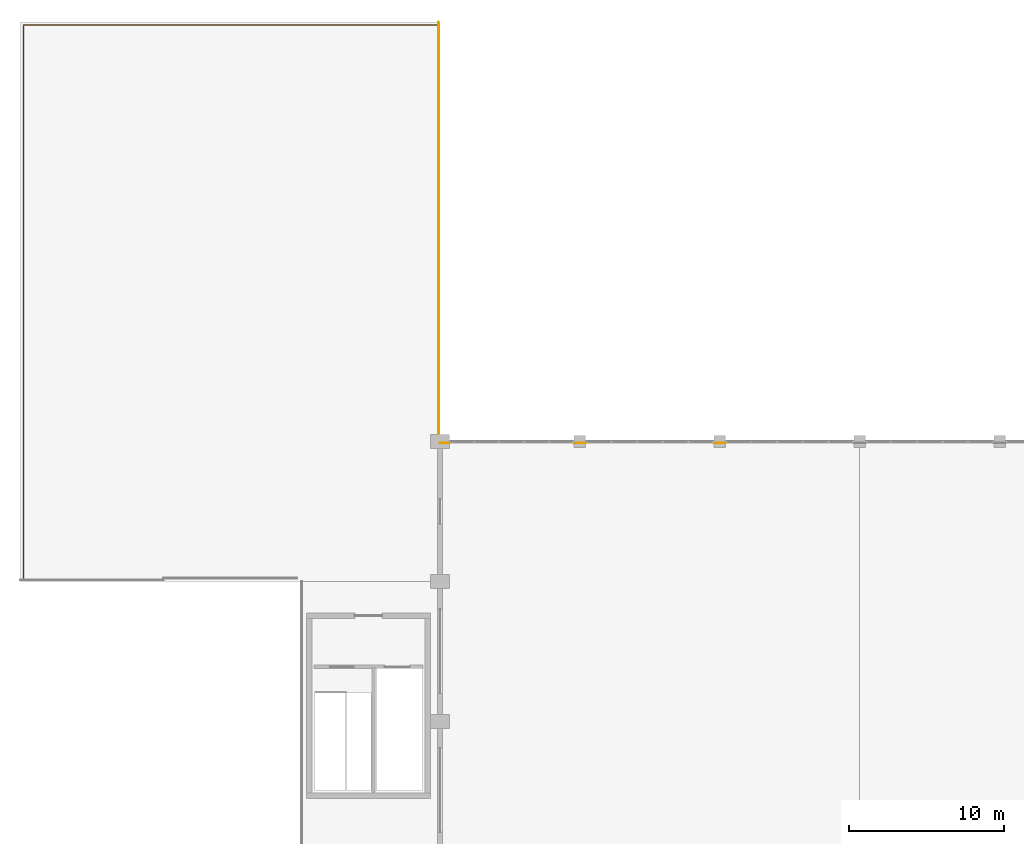
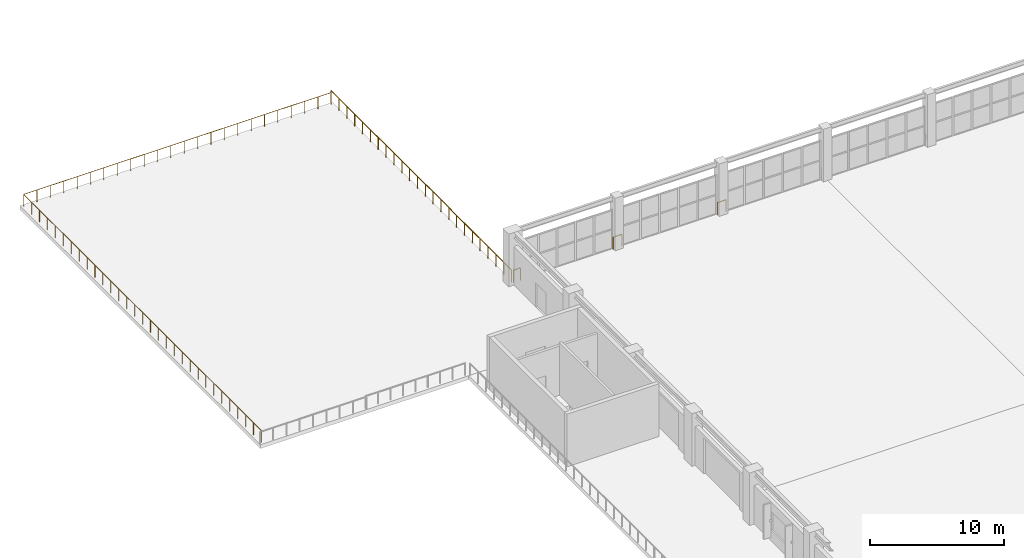
# One storey, part 87 of 89: 5 railings.
"""IFC4 building model written with IfcOpenShell, lengths in metres."""

import ifcopenshell
import ifcopenshell.guid

model = None  # the IFC model being written
_history = None  # IfcOwnerHistory: only IFC2X3 demands one
_inside = {}  # id of a spatial element -> (the spatial element, [elements in it])
_under = {}  # id of a project, library or spatial element -> (it, [spatial elements below it])
_declared = {}  # id of a project -> (the project, [libraries it declares])
_typed = {}  # id of a type object -> (the type object, [elements of that type])
_made_of = {}  # id of a material, layer set ... -> (it, [elements and type objects made of it])


def new_model(schema):
    """Start an empty IFC model of exactly this schema.

    Asked for "IFC4X3", IfcOpenShell would pick the latest addendum, in which some entities
    have other attributes; the version numbers below select the first issue.
    IFC2X3 requires an IfcOwnerHistory on every rooted entity: one is made here for all.
    """
    global model, _history
    if schema == "IFC4X3":
        model = ifcopenshell.file(schema_version=(4, 3, 0, 0))
    else:
        model = ifcopenshell.file(schema=schema)
    _inside.clear()
    _under.clear()
    _declared.clear()
    _typed.clear()
    _made_of.clear()
    _history = None
    if model.schema == "IFC2X3":
        org = make("IfcOrganization", Name="unknown")
        user = make(
            "IfcPersonAndOrganization",
            ThePerson=make("IfcPerson", FamilyName="unknown"),
            TheOrganization=org,
        )
        app = make(
            "IfcApplication",
            ApplicationDeveloper=org,
            Version="unknown",
            ApplicationFullName="unknown",
            ApplicationIdentifier="unknown",
        )
        _history = make(
            "IfcOwnerHistory",
            OwningUser=user,
            OwningApplication=app,
            ChangeAction="ADDED",
            CreationDate=0,
        )
    return model


def make(cls, **values):
    """One entity of the class cls with the attributes given. An attribute that is None is left unset."""
    return model.create_entity(
        cls, **{name: value for name, value in values.items() if value is not None}
    )


def rooted(cls, **values):
    """An entity with a GlobalId (a new one), such as an element, a storey or a relation."""
    return make(cls, GlobalId=ifcopenshell.guid.new(), OwnerHistory=_history, **values)


def si_unit(unit_type, name, prefix=None):
    """IfcSIUnit, for example si_unit("LENGTHUNIT", "METRE", prefix="MILLI")."""
    return make("IfcSIUnit", UnitType=unit_type, Prefix=prefix, Name=name)


def assignment(units):
    """IfcUnitAssignment: the units of a project."""
    return None if units is None else make("IfcUnitAssignment", Units=units)


def point(xyz):
    """IfcCartesianPoint."""
    return None if xyz is None else make("IfcCartesianPoint", Coordinates=xyz)


def direction(xyz):
    """IfcDirection."""
    return None if xyz is None else make("IfcDirection", DirectionRatios=xyz)


def frame(location, z_axis=None, x_axis=None):
    """IfcAxis2Placement3D, a coordinate frame: its origin and axes. An axis left out is left unset."""
    return make(
        "IfcAxis2Placement3D",
        Location=point(location),
        Axis=direction(z_axis),
        RefDirection=direction(x_axis),
    )


def frame_2d(location, x_axis=None):
    """IfcAxis2Placement2D, a coordinate frame in the plane: its origin and x axis."""
    return make(
        "IfcAxis2Placement2D", Location=point(location), RefDirection=direction(x_axis)
    )


def origin():
    """The frame at (0, 0, 0) with its axes left unset."""
    return frame((0.0, 0.0, 0.0))


def origin_2d():
    """The frame at (0, 0) in the plane with its x axis left unset."""
    return frame_2d((0.0, 0.0))


def place(relative_to, where):
    """IfcLocalPlacement: puts the frame where relative to a parent placement (None: the world)."""
    return make(
        "IfcLocalPlacement", PlacementRelTo=relative_to, RelativePlacement=where
    )


def context(
    kind, dimensions, precision=None, world=None, true_north=None, identifier=None
):
    """IfcGeometricRepresentationContext, for example the 3D "Model" context."""
    return make(
        "IfcGeometricRepresentationContext",
        ContextIdentifier=identifier,
        ContextType=kind,
        CoordinateSpaceDimension=dimensions,
        Precision=precision,
        WorldCoordinateSystem=world,
        TrueNorth=true_north,
    )


def subcontext(parent, identifier, kind, view, scale=None):
    """IfcGeometricRepresentationSubContext, for example "Body" below "Model"."""
    return make(
        "IfcGeometricRepresentationSubContext",
        ContextIdentifier=identifier,
        ContextType=kind,
        ParentContext=parent,
        TargetScale=scale,
        TargetView=view,
    )


def project(units=None, contexts=None):
    """IfcProject with its units and contexts."""
    return rooted(
        "IfcProject",
        Name="project",
        RepresentationContexts=contexts,
        UnitsInContext=assignment(units),
    )


def spatial(cls, under=None, at=None, **own):
    """A site, building, storey or space (cls), placed at a placement, below another one or the project."""
    s = rooted(cls, ObjectPlacement=at, **own)
    if under is not None:
        _under.setdefault(under.id(), (under, []))[1].append(s)
    return s


def profile(cls, at=None, kind="AREA", **sizes):
    """A parametric profile (cls). Its sizes go by their IFC names, for example OverallWidth=200.0."""
    return make(cls, ProfileType=kind, Position=at, **sizes)


def circle(**sizes):
    """IfcCircleProfileDef."""
    return profile("IfcCircleProfileDef", **sizes)


def extrude(swept, where, along, depth):
    """IfcExtrudedAreaSolid: the profile swept, set in the frame where, extruded along a direction by depth."""
    return make(
        "IfcExtrudedAreaSolid",
        SweptArea=swept,
        Position=where,
        ExtrudedDirection=direction(along),
        Depth=depth,
    )


def shape(context_of_items, identifier, shape_type, items):
    """IfcShapeRepresentation: the items that make up one representation, for example the "Body"."""
    return make(
        "IfcShapeRepresentation",
        ContextOfItems=context_of_items,
        RepresentationIdentifier=identifier,
        RepresentationType=shape_type,
        Items=items,
    )


def material(Name=None, Category=None):
    """IfcMaterial."""
    return make("IfcMaterial", Name=Name, Category=Category)


def made_of(thing, what):
    """Note that an element or type object is made of a material, layer set ...; save() writes the relation."""
    if what is not None:
        _made_of.setdefault(what.id(), (what, []))[1].append(thing)
    return thing


def type_object(cls, material=None, **own):
    """A type object (cls), such as IfcWallType, which elements share."""
    return made_of(rooted(cls, **own), material)


def element(
    cls,
    number,
    at=None,
    inside=None,
    cuts=None,
    type_object=None,
    material=None,
    context=None,
    identifier="Body",
    shape_type=None,
    held_by="IfcProductDefinitionShape",
    body=None,
    shapes=None,
    **own,
):
    """One element of the class cls, such as IfcWall. Its Tag is "e" and its number.

    at: its placement. inside: the storey or other place that contains it. cuts: it is an
    opening in that element (IfcRelVoidsElement). A single representation is given by context,
    identifier, shape_type and body (its items); several are given by shapes. held_by: the class
    of the entity that holds the representations. save() writes the other relations.
    """
    e = rooted(cls, Tag="e%d" % number, ObjectPlacement=at, **own)
    if body is not None:
        shapes = [shape(context, identifier, shape_type, body)]
    if shapes is not None:
        e.Representation = make(held_by, Representations=shapes)
    if inside is not None:
        _inside.setdefault(inside.id(), (inside, []))[1].append(e)
    if cuts is not None:
        rooted(
            "IfcRelVoidsElement", RelatingBuildingElement=cuts, RelatedOpeningElement=e
        )
    if type_object is not None:
        _typed.setdefault(type_object.id(), (type_object, []))[1].append(e)
    return made_of(e, material)


def aggregate(whole, parts):
    """IfcRelAggregates: a whole, such as a stair, and the parts it consists of."""
    return rooted("IfcRelAggregates", RelatingObject=whole, RelatedObjects=parts)


def save(model, path):
    """Write the relations noted so far, then the file.

    IfcRelAggregates (storeys below a building ...), IfcRelContainedInSpatialStructure (elements
    in a storey), IfcRelDefinesByType, IfcRelAssociatesMaterial and IfcRelDeclares: one each for
    every whole, place, type object, material and project.
    """
    for whole, parts in _under.values():
        aggregate(whole, parts)
    for where, things in _inside.values():
        rooted(
            "IfcRelContainedInSpatialStructure",
            RelatedElements=things,
            RelatingStructure=where,
        )
    for kind, things in _typed.values():
        rooted("IfcRelDefinesByType", RelatedObjects=things, RelatingType=kind)
    for what, things in _made_of.values():
        rooted("IfcRelAssociatesMaterial", RelatedObjects=things, RelatingMaterial=what)
    for by, libraries in _declared.values():
        rooted("IfcRelDeclares", RelatingContext=by, RelatedDefinitions=libraries)
    model.write(path)


model = new_model("IFC4")

# Units and contexts
model_context = context("Model", 3, precision=1e-05, world=origin(), true_north=direction((0.0, 1.0)))
body_context = subcontext(model_context, "Body", "Model", "MODEL_VIEW")
ifc_project = project(units=[si_unit("LENGTHUNIT", "METRE"), si_unit("AREAUNIT", "SQUARE_METRE"), si_unit("VOLUMEUNIT", "CUBIC_METRE"), si_unit("PLANEANGLEUNIT", "RADIAN"), si_unit("MASSUNIT", "GRAM", prefix="KILO")], contexts=[model_context])

# Site, building, storey
site_placement = place(None, origin())
site = spatial("IfcSite", under=ifc_project, at=site_placement, CompositionType="ELEMENT")
building_placement = place(site_placement, origin())
building = spatial("IfcBuilding", under=site, at=building_placement, Name="Dornveld Trade and Exhibition Forum", CompositionType="ELEMENT")
storey_placement = place(building_placement, frame((0.0, 0.0, 12.0)))
storey = spatial("IfcBuildingStorey", under=building, at=storey_placement, Name="L02", CompositionType="ELEMENT", Elevation=12.0)

# Railings
ifc_material_1 = material(Name="Dark-bronze steel and laminated glass balustrade", Category="steel")
railing_type_1 = type_object("IfcRailingType", Name="RL-BALUST-CONC", PredefinedType="BALUSTRADE", material=ifc_material_1)
railing_1_placement = place(storey_placement, frame((26.89990234375, 162.0, 0.0)))
element("IfcRailing", 1, at=railing_1_placement, inside=storey, type_object=railing_type_1, Name="L02 deck edge balustrade 128", PredefinedType="BALUSTRADE", context=body_context, shape_type="SweptSolid", body=[
    extrude(circle(Radius=0.02490234375, at=origin_2d()), frame((0.0, 0.0, 1.09521484375), z_axis=(0.0, -1.0, 0.0), x_axis=(1.0, 0.0, 0.0)), (0.0, 0.0, 1.0), 27.0),
    extrude(circle(Radius=0.02099609375, at=origin_2d()), origin(), (0.0, 0.0, 1.0), 1.070068359375),
    extrude(circle(Radius=0.02099609375, at=origin_2d()), frame((0.0, -1.173828125, 0.0)), (0.0, 0.0, 1.0), 1.070068359375),
    extrude(circle(Radius=0.02099609375, at=origin_2d()), frame((0.0, -2.347900390625, 0.0)), (0.0, 0.0, 1.0), 1.070068359375),
    extrude(circle(Radius=0.02099609375, at=origin_2d()), frame((0.0, -3.521728515625, 0.0)), (0.0, 0.0, 1.0), 1.070068359375),
    extrude(circle(Radius=0.02099609375, at=origin_2d()), frame((0.0, -4.695556640625, 0.0)), (0.0, 0.0, 1.0), 1.070068359375),
    extrude(circle(Radius=0.02099609375, at=origin_2d()), frame((0.0, -5.86962890625, 0.0)), (0.0, 0.0, 1.0), 1.070068359375),
    extrude(circle(Radius=0.02099609375, at=origin_2d()), frame((0.0, -7.04345703125, 0.0)), (0.0, 0.0, 1.0), 1.070068359375),
    extrude(circle(Radius=0.02099609375, at=origin_2d()), frame((0.0, -8.21728515625, 0.0)), (0.0, 0.0, 1.0), 1.070068359375),
    extrude(circle(Radius=0.02099609375, at=origin_2d()), frame((0.0, -9.391357421875, 0.0)), (0.0, 0.0, 1.0), 1.070068359375),
    extrude(circle(Radius=0.02099609375, at=origin_2d()), frame((0.0, -10.565185546875, 0.0)), (0.0, 0.0, 1.0), 1.070068359375),
    extrude(circle(Radius=0.02099609375, at=origin_2d()), frame((0.0, -11.739013671875, 0.0)), (0.0, 0.0, 1.0), 1.070068359375),
    extrude(circle(Radius=0.02099609375, at=origin_2d()), frame((0.0, -12.9130859375, 0.0)), (0.0, 0.0, 1.0), 1.070068359375),
    extrude(circle(Radius=0.02099609375, at=origin_2d()), frame((0.0, -14.0869140625, 0.0)), (0.0, 0.0, 1.0), 1.070068359375),
    extrude(circle(Radius=0.02099609375, at=origin_2d()), frame((0.0, -15.260986328125, 0.0)), (0.0, 0.0, 1.0), 1.070068359375),
    extrude(circle(Radius=0.02099609375, at=origin_2d()), frame((0.0, -16.434814453125, 0.0)), (0.0, 0.0, 1.0), 1.070068359375),
    extrude(circle(Radius=0.02099609375, at=origin_2d()), frame((0.0, -17.608642578125, 0.0)), (0.0, 0.0, 1.0), 1.070068359375),
    extrude(circle(Radius=0.02099609375, at=origin_2d()), frame((0.0, -18.78271484375, 0.0)), (0.0, 0.0, 1.0), 1.070068359375),
    extrude(circle(Radius=0.02099609375, at=origin_2d()), frame((0.0, -19.95654296875, 0.0)), (0.0, 0.0, 1.0), 1.070068359375),
    extrude(circle(Radius=0.02099609375, at=origin_2d()), frame((0.0, -21.13037109375, 0.0)), (0.0, 0.0, 1.0), 1.070068359375),
    extrude(circle(Radius=0.02099609375, at=origin_2d()), frame((0.0, -22.304443359375, 0.0)), (0.0, 0.0, 1.0), 1.070068359375),
    extrude(circle(Radius=0.02099609375, at=origin_2d()), frame((0.0, -23.478271484375, 0.0)), (0.0, 0.0, 1.0), 1.070068359375),
    extrude(circle(Radius=0.02099609375, at=origin_2d()), frame((0.0, -24.652099609375, 0.0)), (0.0, 0.0, 1.0), 1.070068359375),
    extrude(circle(Radius=0.02099609375, at=origin_2d()), frame((0.0, -25.826171875, 0.0)), (0.0, 0.0, 1.0), 1.070068359375),
    extrude(circle(Radius=0.02099609375, at=origin_2d()), frame((0.0, -27.0, 0.0)), (0.0, 0.0, 1.0), 1.070068359375),
])
railing_2_placement = place(storey_placement, frame((27.0, 134.89990234375, 0.0)))
element("IfcRailing", 2, at=railing_2_placement, inside=storey, type_object=railing_type_1, Name="L02 deck edge balustrade 129", PredefinedType="BALUSTRADE", context=body_context, shape_type="SweptSolid", body=[
    extrude(circle(Radius=0.02490234375, at=origin_2d()), frame((0.0, 0.0, 1.09521484375), z_axis=(1.0, 0.0, 0.0), x_axis=(0.0, 1.0, 0.0)), (0.0, 0.0, 1.0), 0.595947265625),
    extrude(circle(Radius=0.02099609375, at=origin_2d()), origin(), (0.0, 0.0, 1.0), 1.070068359375),
    extrude(circle(Radius=0.02099609375, at=origin_2d()), frame((0.595947265625, 0.0, 0.0)), (0.0, 0.0, 1.0), 1.070068359375),
])
for number, where, name in (
    (3, (35.62890625, 134.89990234375, 0.0), "L02 deck edge balustrade 130"),
    (4, (44.62890625, 134.89990234375, 0.0), "L02 deck edge balustrade 131"),
):
    element("IfcRailing", number, at=place(storey_placement, frame(where)), inside=storey, type_object=railing_type_1, Name=name, PredefinedType="BALUSTRADE", context=body_context, shape_type="SweptSolid", body=[
        extrude(circle(Radius=0.02490234375, at=origin_2d()), frame((0.0, 0.0, 1.09521484375), z_axis=(1.0, 0.0, 0.0), x_axis=(0.0, 1.0, 0.0)), (0.0, 0.0, 1.0), 0.7421875),
        extrude(circle(Radius=0.02099609375, at=origin_2d()), origin(), (0.0, 0.0, 1.0), 1.070068359375),
        extrude(circle(Radius=0.02099609375, at=origin_2d()), frame((0.7421875, 0.0, 0.0)), (0.0, 0.0, 1.0), 1.070068359375),
    ])
ifc_material_2 = material(Name="Galvanised steel S355J2 balustrade", Category="steel")
railing_type_2 = type_object("IfcRailingType", Name="RL-GUARD-TERR", PredefinedType="GUARDRAIL", material=ifc_material_2)
railing_3_placement = place(storey_placement, frame((0.199951171875, 126.199951171875, 0.0)))
element("IfcRailing", 5, at=railing_3_placement, inside=storey, type_object=railing_type_2, Name="L02 protective edge guard 7", PredefinedType="GUARDRAIL", context=body_context, shape_type="SweptSolid", body=[
    extrude(circle(Radius=0.02490234375, at=origin_2d()), frame((0.0, 0.0, 1.09521484375), z_axis=(0.0, 1.0, 0.0), x_axis=(-1.0, 0.0, 0.0)), (0.0, 0.0, 1.0), 35.60009765625),
    extrude(circle(Radius=0.02490234375, at=origin_2d()), frame((0.0, 35.60009765625, 1.09521484375), z_axis=(1.0, 0.0, 0.0), x_axis=(0.0, 1.0, 0.0)), (0.0, 0.0, 1.0), 26.60009765625),
    extrude(circle(Radius=0.02099609375, at=origin_2d()), origin(), (0.0, 0.0, 1.0), 1.070068359375),
    extrude(circle(Radius=0.02099609375, at=origin_2d()), frame((0.0, 1.186767578125, 0.0)), (0.0, 0.0, 1.0), 1.070068359375),
    extrude(circle(Radius=0.02099609375, at=origin_2d()), frame((0.0, 2.373291015625, 0.0)), (0.0, 0.0, 1.0), 1.070068359375),
    extrude(circle(Radius=0.02099609375, at=origin_2d()), frame((0.0, 3.56005859375, 0.0)), (0.0, 0.0, 1.0), 1.070068359375),
    extrude(circle(Radius=0.02099609375, at=origin_2d()), frame((0.0, 4.74658203125, 0.0)), (0.0, 0.0, 1.0), 1.070068359375),
    extrude(circle(Radius=0.02099609375, at=origin_2d()), frame((0.0, 5.933349609375, 0.0)), (0.0, 0.0, 1.0), 1.070068359375),
    extrude(circle(Radius=0.02099609375, at=origin_2d()), frame((0.0, 7.1201171875, 0.0)), (0.0, 0.0, 1.0), 1.070068359375),
    extrude(circle(Radius=0.02099609375, at=origin_2d()), frame((0.0, 8.306640625, 0.0)), (0.0, 0.0, 1.0), 1.070068359375),
    extrude(circle(Radius=0.02099609375, at=origin_2d()), frame((0.0, 9.493408203125, 0.0)), (0.0, 0.0, 1.0), 1.070068359375),
    extrude(circle(Radius=0.02099609375, at=origin_2d()), frame((0.0, 10.679931640625, 0.0)), (0.0, 0.0, 1.0), 1.070068359375),
    extrude(circle(Radius=0.02099609375, at=origin_2d()), frame((0.0, 11.86669921875, 0.0)), (0.0, 0.0, 1.0), 1.070068359375),
    extrude(circle(Radius=0.02099609375, at=origin_2d()), frame((0.0, 13.053466796875, 0.0)), (0.0, 0.0, 1.0), 1.070068359375),
    extrude(circle(Radius=0.02099609375, at=origin_2d()), frame((0.0, 14.239990234375, 0.0)), (0.0, 0.0, 1.0), 1.070068359375),
    extrude(circle(Radius=0.02099609375, at=origin_2d()), frame((0.0, 15.4267578125, 0.0)), (0.0, 0.0, 1.0), 1.070068359375),
    extrude(circle(Radius=0.02099609375, at=origin_2d()), frame((0.0, 16.61328125, 0.0)), (0.0, 0.0, 1.0), 1.070068359375),
    extrude(circle(Radius=0.02099609375, at=origin_2d()), frame((0.0, 17.800048828125, 0.0)), (0.0, 0.0, 1.0), 1.070068359375),
    extrude(circle(Radius=0.02099609375, at=origin_2d()), frame((0.0, 18.98681640625, 0.0)), (0.0, 0.0, 1.0), 1.070068359375),
    extrude(circle(Radius=0.02099609375, at=origin_2d()), frame((0.0, 20.17333984375, 0.0)), (0.0, 0.0, 1.0), 1.070068359375),
    extrude(circle(Radius=0.02099609375, at=origin_2d()), frame((0.0, 21.360107421875, 0.0)), (0.0, 0.0, 1.0), 1.070068359375),
    extrude(circle(Radius=0.02099609375, at=origin_2d()), frame((0.0, 22.546630859375, 0.0)), (0.0, 0.0, 1.0), 1.070068359375),
    extrude(circle(Radius=0.02099609375, at=origin_2d()), frame((0.0, 23.7333984375, 0.0)), (0.0, 0.0, 1.0), 1.070068359375),
    extrude(circle(Radius=0.02099609375, at=origin_2d()), frame((0.0, 24.920166015625, 0.0)), (0.0, 0.0, 1.0), 1.070068359375),
    extrude(circle(Radius=0.02099609375, at=origin_2d()), frame((0.0, 26.106689453125, 0.0)), (0.0, 0.0, 1.0), 1.070068359375),
    extrude(circle(Radius=0.02099609375, at=origin_2d()), frame((0.0, 27.29345703125, 0.0)), (0.0, 0.0, 1.0), 1.070068359375),
    extrude(circle(Radius=0.02099609375, at=origin_2d()), frame((0.0, 28.47998046875, 0.0)), (0.0, 0.0, 1.0), 1.070068359375),
    extrude(circle(Radius=0.02099609375, at=origin_2d()), frame((0.0, 29.666748046875, 0.0)), (0.0, 0.0, 1.0), 1.070068359375),
    extrude(circle(Radius=0.02099609375, at=origin_2d()), frame((0.0, 30.853515625, 0.0)), (0.0, 0.0, 1.0), 1.070068359375),
    extrude(circle(Radius=0.02099609375, at=origin_2d()), frame((0.0, 32.0400390625, 0.0)), (0.0, 0.0, 1.0), 1.070068359375),
    extrude(circle(Radius=0.02099609375, at=origin_2d()), frame((0.0, 33.226806640625, 0.0)), (0.0, 0.0, 1.0), 1.070068359375),
    extrude(circle(Radius=0.02099609375, at=origin_2d()), frame((0.0, 34.413330078125, 0.0)), (0.0, 0.0, 1.0), 1.070068359375),
    extrude(circle(Radius=0.02099609375, at=origin_2d()), frame((0.0, 35.60009765625, 0.0)), (0.0, 0.0, 1.0), 1.070068359375),
    extrude(circle(Radius=0.02099609375, at=origin_2d()), frame((1.156494140625, 35.60009765625, 0.0)), (0.0, 0.0, 1.0), 1.070068359375),
    extrude(circle(Radius=0.02099609375, at=origin_2d()), frame((2.31298828125, 35.60009765625, 0.0)), (0.0, 0.0, 1.0), 1.070068359375),
    extrude(circle(Radius=0.02099609375, at=origin_2d()), frame((3.469482421875, 35.60009765625, 0.0)), (0.0, 0.0, 1.0), 1.070068359375),
    extrude(circle(Radius=0.02099609375, at=origin_2d()), frame((4.626220703125, 35.60009765625, 0.0)), (0.0, 0.0, 1.0), 1.070068359375),
    extrude(circle(Radius=0.02099609375, at=origin_2d()), frame((5.78271484375, 35.60009765625, 0.0)), (0.0, 0.0, 1.0), 1.070068359375),
    extrude(circle(Radius=0.02099609375, at=origin_2d()), frame((6.939208984375, 35.60009765625, 0.0)), (0.0, 0.0, 1.0), 1.070068359375),
    extrude(circle(Radius=0.02099609375, at=origin_2d()), frame((8.095703125, 35.60009765625, 0.0)), (0.0, 0.0, 1.0), 1.070068359375),
    extrude(circle(Radius=0.02099609375, at=origin_2d()), frame((9.252197265625, 35.60009765625, 0.0)), (0.0, 0.0, 1.0), 1.070068359375),
    extrude(circle(Radius=0.02099609375, at=origin_2d()), frame((10.40869140625, 35.60009765625, 0.0)), (0.0, 0.0, 1.0), 1.070068359375),
    extrude(circle(Radius=0.02099609375, at=origin_2d()), frame((11.565185546875, 35.60009765625, 0.0)), (0.0, 0.0, 1.0), 1.070068359375),
    extrude(circle(Radius=0.02099609375, at=origin_2d()), frame((12.7216796875, 35.60009765625, 0.0)), (0.0, 0.0, 1.0), 1.070068359375),
    extrude(circle(Radius=0.02099609375, at=origin_2d()), frame((13.87841796875, 35.60009765625, 0.0)), (0.0, 0.0, 1.0), 1.070068359375),
    extrude(circle(Radius=0.02099609375, at=origin_2d()), frame((15.034912109375, 35.60009765625, 0.0)), (0.0, 0.0, 1.0), 1.070068359375),
    extrude(circle(Radius=0.02099609375, at=origin_2d()), frame((16.19140625, 35.60009765625, 0.0)), (0.0, 0.0, 1.0), 1.070068359375),
    extrude(circle(Radius=0.02099609375, at=origin_2d()), frame((17.347900390625, 35.60009765625, 0.0)), (0.0, 0.0, 1.0), 1.070068359375),
    extrude(circle(Radius=0.02099609375, at=origin_2d()), frame((18.50439453125, 35.60009765625, 0.0)), (0.0, 0.0, 1.0), 1.070068359375),
    extrude(circle(Radius=0.02099609375, at=origin_2d()), frame((19.660888671875, 35.60009765625, 0.0)), (0.0, 0.0, 1.0), 1.070068359375),
    extrude(circle(Radius=0.02099609375, at=origin_2d()), frame((20.8173828125, 35.60009765625, 0.0)), (0.0, 0.0, 1.0), 1.070068359375),
    extrude(circle(Radius=0.02099609375, at=origin_2d()), frame((21.973876953125, 35.60009765625, 0.0)), (0.0, 0.0, 1.0), 1.070068359375),
    extrude(circle(Radius=0.02099609375, at=origin_2d()), frame((23.130615234375, 35.60009765625, 0.0)), (0.0, 0.0, 1.0), 1.070068359375),
    extrude(circle(Radius=0.02099609375, at=origin_2d()), frame((24.287109375, 35.60009765625, 0.0)), (0.0, 0.0, 1.0), 1.070068359375),
    extrude(circle(Radius=0.02099609375, at=origin_2d()), frame((25.443603515625, 35.60009765625, 0.0)), (0.0, 0.0, 1.0), 1.070068359375),
    extrude(circle(Radius=0.02099609375, at=origin_2d()), frame((26.60009765625, 35.60009765625, 0.0)), (0.0, 0.0, 1.0), 1.070068359375),
])

save(model, "model.ifc")
